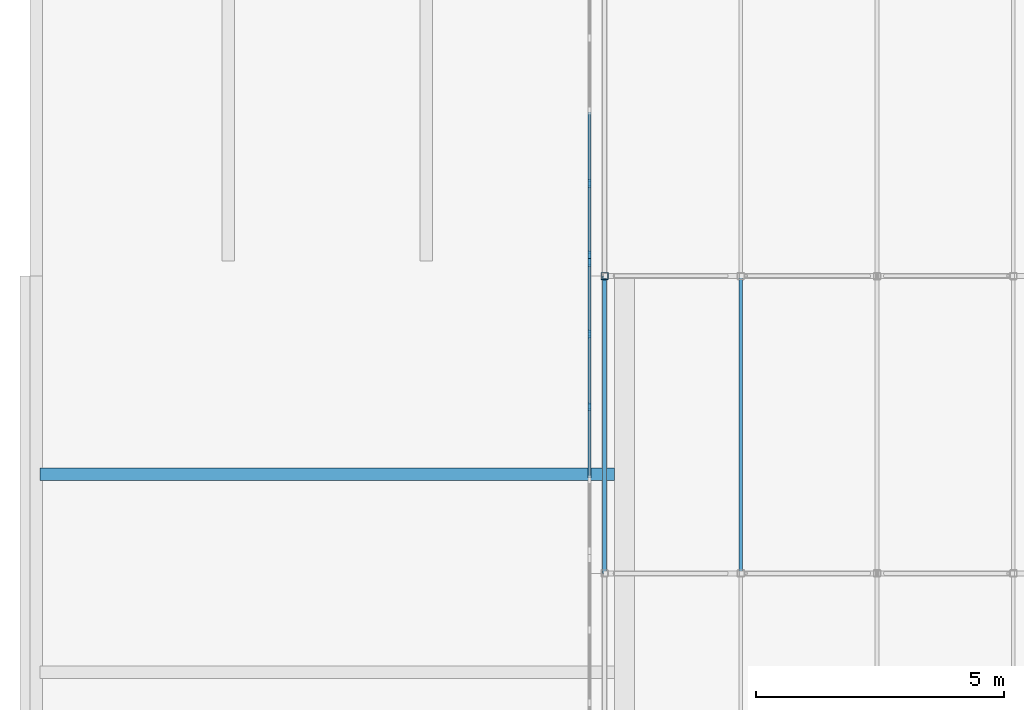
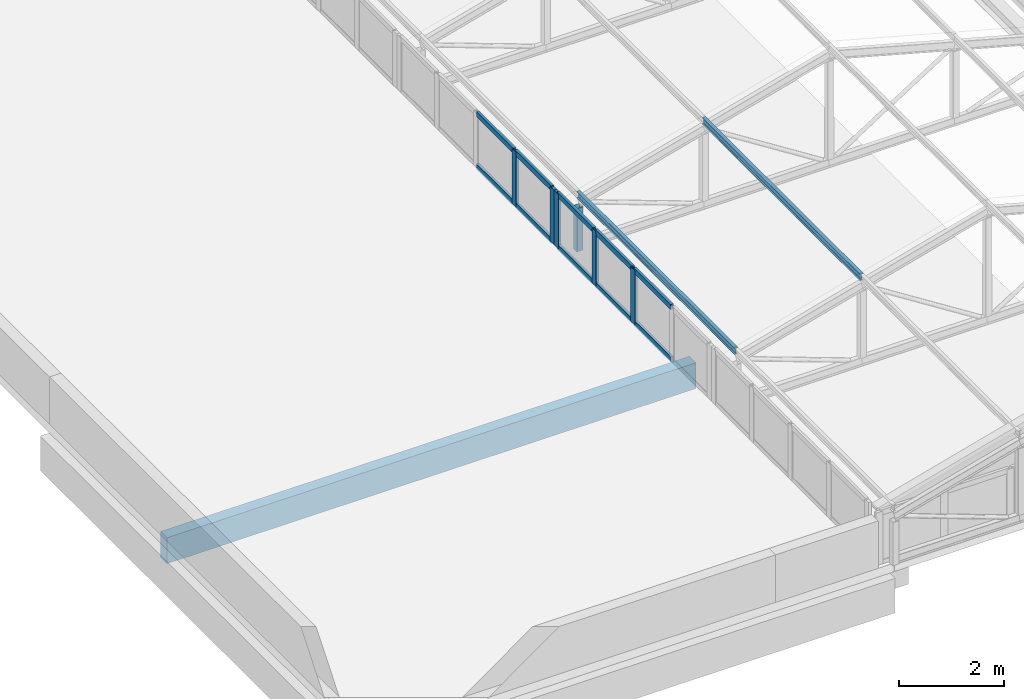
# One storey, part 3 of 94: 18 members, 1 beam, 2 elements without a shape of their own.
"""IFC4 building model written with IfcOpenShell, lengths in metres."""

from ifc_helpers import new_model, si_unit, direction, frame, origin, origin_2d, place, context, subcontext, project, spatial, rectangle, hollow_rectangle, i_section, extrude, material, layer, layer_set, material_profile, profile_set, type_object, element, aggregate, save


model = new_model("IFC4")

# Units and contexts
model_context = context("Model", 3, precision=1e-05, world=origin(), true_north=direction((0.0, 1.0)))
body_context = subcontext(model_context, "Body", "Model", "MODEL_VIEW")
ifc_project = project(units=[si_unit("LENGTHUNIT", "METRE"), si_unit("AREAUNIT", "SQUARE_METRE"), si_unit("VOLUMEUNIT", "CUBIC_METRE"), si_unit("PLANEANGLEUNIT", "RADIAN"), si_unit("MASSUNIT", "GRAM", prefix="KILO")], contexts=[model_context])

# Site, building, storey
site_placement = place(None, origin())
site = spatial("IfcSite", under=ifc_project, at=site_placement, CompositionType="ELEMENT")
building_placement = place(site_placement, origin())
building = spatial("IfcBuilding", under=site, at=building_placement, Name="Lilac Gate Convention Centre", CompositionType="ELEMENT")
storey_placement = place(building_placement, frame((0.0, 0.0, 21.0)))
storey = spatial("IfcBuildingStorey", under=building, at=storey_placement, Name="L04", CompositionType="ELEMENT", Elevation=21.0)

# Curtain wall, members
ifc_material_1 = material(Name="Aluminium framed double glazing", Category="aluminium")
ifc_layer = layer(ifc_material_1, 0.199951171875)
ifc_layer_set = layer_set([ifc_layer], Name="Aluminium framed double glazing")
curtain_wall_type = type_object("IfcCurtainWallType", Name="Unitised curtain wall 1500", PredefinedType="NOTDEFINED", material=ifc_layer_set)
curtain_wall_1_placement = place(storey_placement, origin())
curtain_wall_1 = element("IfcCurtainWall", 1, at=curtain_wall_1_placement, inside=storey, type_object=curtain_wall_type, Name="Lantern clerestory W 2", PredefinedType="NOTDEFINED")
ifc_material_2 = material(Name="Aluminium alloy 6063", Category="aluminium")
ifc_material_profile_1 = material_profile(ifc_material_2, rectangle(XDim=0.06005859375, YDim=0.159912109375, at=origin_2d()), Name="Curtain wall mullion 60 x 160")
ifc_profile_set_1 = profile_set([ifc_material_profile_1], Name="Aluminium alloy 6063")
member_type_1 = type_object("IfcMemberType", Name="Curtain wall mullion 60 x 160", PredefinedType="MULLION", material=ifc_profile_set_1)
member_1_placement = place(storey_placement, frame((17.300048828125, 39.362548828125, 0.0), z_axis=(0.0, 0.0, 1.0), x_axis=(-1.0, 0.0, 0.0)))
member_1 = element("IfcMember", 2, at=member_1_placement, type_object=member_type_1, Name="CW mullion 3", PredefinedType="MULLION", context=body_context, shape_type="SweptSolid", body=[
    extrude(rectangle(XDim=0.06005859375, YDim=0.159912109375, at=origin_2d()), origin(), (0.0, 0.0, 1.0), 1.272216796875),
])
member_2_placement = place(storey_placement, frame((17.300048828125, 40.831298828125, 0.0), z_axis=(0.0, 0.0, 1.0), x_axis=(-1.0, 0.0, 0.0)))
member_2 = element("IfcMember", 3, at=member_2_placement, type_object=member_type_1, Name="CW mullion 4", PredefinedType="MULLION", context=body_context, shape_type="SweptSolid", body=[
    extrude(rectangle(XDim=0.06005859375, YDim=0.159912109375, at=origin_2d()), origin(), (0.0, 0.0, 1.0), 1.272216796875),
])
member_3_placement = place(storey_placement, frame((17.300048828125, 42.27001953125, 0.0), z_axis=(0.0, 0.0, 1.0), x_axis=(-1.0, 0.0, 0.0)))
member_3 = element("IfcMember", 4, at=member_3_placement, type_object=member_type_1, Name="CW mullion 5", PredefinedType="MULLION", context=body_context, shape_type="SweptSolid", body=[
    extrude(rectangle(XDim=0.06005859375, YDim=0.159912109375, at=origin_2d()), origin(), (0.0, 0.0, 1.0), 1.272216796875),
])

curtain_wall_2_placement = place(storey_placement, origin())
curtain_wall_2 = element("IfcCurtainWall", 5, at=curtain_wall_2_placement, inside=storey, type_object=curtain_wall_type, Name="Lantern clerestory W 3", PredefinedType="NOTDEFINED")
member_4_placement = place(storey_placement, frame((17.300048828125, 42.429931640625, 0.0), z_axis=(0.0, 0.0, 1.0), x_axis=(-1.0, 0.0, 0.0)))
member_4 = element("IfcMember", 6, at=member_4_placement, type_object=member_type_1, Name="CW mullion 1", PredefinedType="MULLION", context=body_context, shape_type="SweptSolid", body=[
    extrude(rectangle(XDim=0.06005859375, YDim=0.159912109375, at=origin_2d()), origin(), (0.0, 0.0, 1.0), 1.272216796875),
])
member_5_placement = place(storey_placement, frame((17.300048828125, 43.86865234375, 0.0), z_axis=(0.0, 0.0, 1.0), x_axis=(-1.0, 0.0, 0.0)))
member_5 = element("IfcMember", 7, at=member_5_placement, type_object=member_type_1, Name="CW mullion 2", PredefinedType="MULLION", context=body_context, shape_type="SweptSolid", body=[
    extrude(rectangle(XDim=0.06005859375, YDim=0.159912109375, at=origin_2d()), origin(), (0.0, 0.0, 1.0), 1.272216796875),
])

# Member
ifc_material_profile_2 = material_profile(ifc_material_2, rectangle(XDim=0.06005859375, YDim=0.1201171875, at=origin_2d()), Name="Curtain wall transom 60 x 120")
ifc_profile_set_2 = profile_set([ifc_material_profile_2], Name="Aluminium alloy 6063")
member_type_2 = type_object("IfcMemberType", Name="Curtain wall transom 60 x 120", PredefinedType="USERDEFINED", material=ifc_profile_set_2)
member_6_placement = place(storey_placement, frame((17.300048828125, 37.923828125, 0.030029296875), z_axis=(0.0, 1.0, 0.0), x_axis=(-1.0, 0.0, 0.0)))
member_6 = element("IfcMember", 8, at=member_6_placement, type_object=member_type_2, Name="CW transom 2.1", ObjectType="TRANSOM", PredefinedType="USERDEFINED", context=body_context, shape_type="SweptSolid", body=[
    extrude(rectangle(XDim=0.06005859375, YDim=0.1201171875, at=origin_2d()), origin(), (0.0, 0.0, 1.0), 1.40869140625),
])

member_7_placement = place(storey_placement, frame((17.300048828125, 37.923828125, 1.2421875), z_axis=(0.0, 1.0, 0.0), x_axis=(-1.0, 0.0, 0.0)))
member_7 = element("IfcMember", 9, at=member_7_placement, type_object=member_type_2, Name="CW transom 2.2", ObjectType="TRANSOM", PredefinedType="USERDEFINED", context=body_context, shape_type="SweptSolid", body=[
    extrude(rectangle(XDim=0.06005859375, YDim=0.1201171875, at=origin_2d()), origin(), (0.0, 0.0, 1.0), 1.40869140625),
])

member_8_placement = place(storey_placement, frame((17.300048828125, 39.392578125, 0.030029296875), z_axis=(0.0, 1.0, 0.0), x_axis=(-1.0, 0.0, 0.0)))
member_8 = element("IfcMember", 10, at=member_8_placement, type_object=member_type_2, Name="CW transom 3.1", ObjectType="TRANSOM", PredefinedType="USERDEFINED", context=body_context, shape_type="SweptSolid", body=[
    extrude(rectangle(XDim=0.06005859375, YDim=0.1201171875, at=origin_2d()), origin(), (0.0, 0.0, 1.0), 1.40869140625),
])

member_9_placement = place(storey_placement, frame((17.300048828125, 39.392578125, 1.2421875), z_axis=(0.0, 1.0, 0.0), x_axis=(-1.0, 0.0, 0.0)))
member_9 = element("IfcMember", 11, at=member_9_placement, type_object=member_type_2, Name="CW transom 3.2", ObjectType="TRANSOM", PredefinedType="USERDEFINED", context=body_context, shape_type="SweptSolid", body=[
    extrude(rectangle(XDim=0.06005859375, YDim=0.1201171875, at=origin_2d()), origin(), (0.0, 0.0, 1.0), 1.40869140625),
])

member_10_placement = place(storey_placement, frame((17.300048828125, 40.861328125, 0.030029296875), z_axis=(0.0, 1.0, 0.0), x_axis=(-1.0, 0.0, 0.0)))
member_10 = element("IfcMember", 12, at=member_10_placement, type_object=member_type_2, Name="CW transom 4.1", ObjectType="TRANSOM", PredefinedType="USERDEFINED", context=body_context, shape_type="SweptSolid", body=[
    extrude(rectangle(XDim=0.06005859375, YDim=0.1201171875, at=origin_2d()), origin(), (0.0, 0.0, 1.0), 1.378662109375),
])

member_11_placement = place(storey_placement, frame((17.300048828125, 40.861328125, 1.2421875), z_axis=(0.0, 1.0, 0.0), x_axis=(-1.0, 0.0, 0.0)))
member_11 = element("IfcMember", 13, at=member_11_placement, type_object=member_type_2, Name="CW transom 4.2", ObjectType="TRANSOM", PredefinedType="USERDEFINED", context=body_context, shape_type="SweptSolid", body=[
    extrude(rectangle(XDim=0.06005859375, YDim=0.1201171875, at=origin_2d()), origin(), (0.0, 0.0, 1.0), 1.378662109375),
])

aggregate(curtain_wall_1, [member_1, member_2, member_3, member_6, member_7, member_8, member_9, member_10, member_11])

member_12_placement = place(storey_placement, frame((17.300048828125, 42.4599609375, 0.030029296875), z_axis=(0.0, 1.0, 0.0), x_axis=(-1.0, 0.0, 0.0)))
member_12 = element("IfcMember", 14, at=member_12_placement, type_object=member_type_2, Name="CW transom 1.1", ObjectType="TRANSOM", PredefinedType="USERDEFINED", context=body_context, shape_type="SweptSolid", body=[
    extrude(rectangle(XDim=0.06005859375, YDim=0.1201171875, at=origin_2d()), origin(), (0.0, 0.0, 1.0), 1.378662109375),
])

member_13_placement = place(storey_placement, frame((17.300048828125, 42.4599609375, 1.2421875), z_axis=(0.0, 1.0, 0.0), x_axis=(-1.0, 0.0, 0.0)))
member_13 = element("IfcMember", 15, at=member_13_placement, type_object=member_type_2, Name="CW transom 1.2", ObjectType="TRANSOM", PredefinedType="USERDEFINED", context=body_context, shape_type="SweptSolid", body=[
    extrude(rectangle(XDim=0.06005859375, YDim=0.1201171875, at=origin_2d()), origin(), (0.0, 0.0, 1.0), 1.378662109375),
])

member_14_placement = place(storey_placement, frame((17.300048828125, 43.898681640625, 0.030029296875), z_axis=(0.0, 1.0, 0.0), x_axis=(-1.0, 0.0, 0.0)))
member_14 = element("IfcMember", 16, at=member_14_placement, type_object=member_type_2, Name="CW transom 2.1", ObjectType="TRANSOM", PredefinedType="USERDEFINED", context=body_context, shape_type="SweptSolid", body=[
    extrude(rectangle(XDim=0.06005859375, YDim=0.1201171875, at=origin_2d()), origin(), (0.0, 0.0, 1.0), 1.40869140625),
])

member_15_placement = place(storey_placement, frame((17.300048828125, 43.898681640625, 1.2421875), z_axis=(0.0, 1.0, 0.0), x_axis=(-1.0, 0.0, 0.0)))
member_15 = element("IfcMember", 17, at=member_15_placement, type_object=member_type_2, Name="CW transom 2.2", ObjectType="TRANSOM", PredefinedType="USERDEFINED", context=body_context, shape_type="SweptSolid", body=[
    extrude(rectangle(XDim=0.06005859375, YDim=0.1201171875, at=origin_2d()), origin(), (0.0, 0.0, 1.0), 1.40869140625),
])

aggregate(curtain_wall_2, [member_4, member_5, member_12, member_13, member_14, member_15])

# Members
ifc_material_3 = material(Name="Steel Q355B", Category="steel")
ifc_material_profile_3 = material_profile(ifc_material_3, hollow_rectangle(XDim=0.139892578125, YDim=0.139892578125, WallThickness=0.0048828125, InnerFilletRadius=0.0048828125, OuterFilletRadius=0.010009765625, at=origin_2d()), Name="SHS140x140x5")
ifc_profile_set_3 = profile_set([ifc_material_profile_3], Name="Steel Q355B")
member_type_3 = type_object("IfcMemberType", Name="Lantern post SHS140x140x5", PredefinedType="STRUT", material=ifc_profile_set_3)
member_16_placement = place(storey_placement, frame((17.60009765625, 42.0, 0.0), z_axis=(0.0, 0.0, 1.0), x_axis=(1.0, 0.0, 0.0)))
element("IfcMember", 18, at=member_16_placement, inside=storey, type_object=member_type_3, Name="LV1 lantern truss 3 post 1", PredefinedType="STRUT", context=body_context, shape_type="SweptSolid", body=[
    extrude(hollow_rectangle(XDim=0.139892578125, YDim=0.139892578125, WallThickness=0.0048828125, InnerFilletRadius=0.0048828125, OuterFilletRadius=0.010009765625, at=origin_2d()), origin(), (0.0, 0.0, 1.0), 1.001953125),
])
ifc_material_profile_4 = material_profile(ifc_material_3, i_section(OverallWidth=0.074951171875, OverallDepth=0.14990234375, WebThickness=0.0048828125, FlangeThickness=0.007080078125, FilletRadius=0.008056640625, at=origin_2d()), Name="HN150x75x5x7")
ifc_profile_set_4 = profile_set([ifc_material_profile_4], Name="Steel Q355B")
member_type_4 = type_object("IfcMemberType", Name="Lantern purlin HN150x75x5x7", PredefinedType="PURLIN", material=ifc_profile_set_4)
for number, where, z_axis, x_axis, name in (
    (19, (17.60009765625, 36.0, 1.279052734375), (0.0, 1.0, 0.0), (-1.0, 0.0, 0.0), "LP1 lantern purlin bay 2 line 1"),
    (20, (20.35009765625, 36.0, 2.029052734375), (0.0, 1.0, 0.0), (-1.0, 0.0, 0.0), "LP1 lantern purlin bay 2 line 2"),
):
    element("IfcMember", number, at=place(storey_placement, frame(where, z_axis=z_axis, x_axis=x_axis)), inside=storey, type_object=member_type_4, Name=name, PredefinedType="PURLIN", context=body_context, shape_type="SweptSolid", body=[
        extrude(i_section(OverallWidth=0.074951171875, OverallDepth=0.14990234375, WebThickness=0.0048828125, FlangeThickness=0.007080078125, FilletRadius=0.008056640625, at=origin_2d()), origin(), (0.0, 0.0, 1.0), 6.0),
    ])

# Beam
ifc_material_4 = material(Name="Concrete C40", Category="concrete")
ifc_material_profile_5 = material_profile(ifc_material_4, rectangle(XDim=0.25, YDim=0.60009765625, at=origin_2d()), Name="RC 250x600")
ifc_profile_set_5 = profile_set([ifc_material_profile_5], Name="Concrete C40")
beam_type = type_object("IfcBeamType", Name="Tower secondary beam 250x600 C40", PredefinedType="BEAM", material=ifc_profile_set_5)
beam_placement = place(storey_placement, frame((6.199951171875, 38.0, -0.5), z_axis=(1.0, 0.0, 0.0), x_axis=(0.0, 1.0, 0.0)))
element("IfcBeam", 21, at=beam_placement, inside=storey, type_object=beam_type, Name="RB4 L04 bay 1/A", PredefinedType="BEAM", context=body_context, shape_type="SweptSolid", body=[
    extrude(rectangle(XDim=0.25, YDim=0.60009765625, at=origin_2d()), origin(), (0.0, 0.0, 1.0), 11.60009765625),
])

save(model, "model.ifc")
